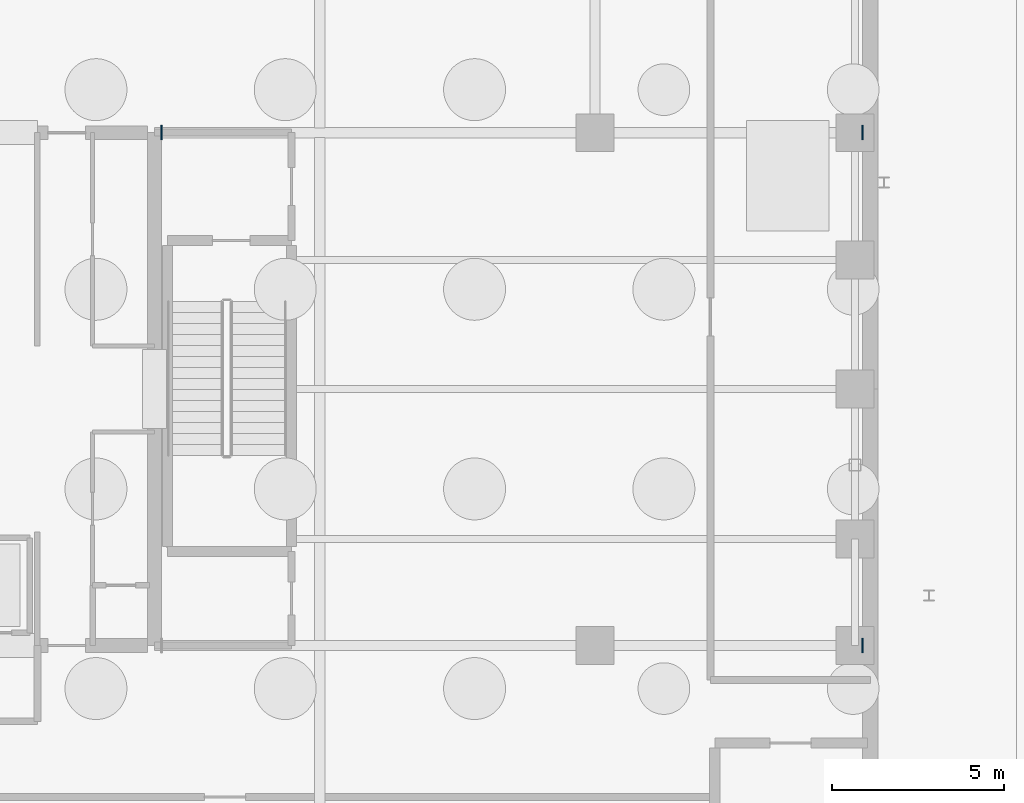
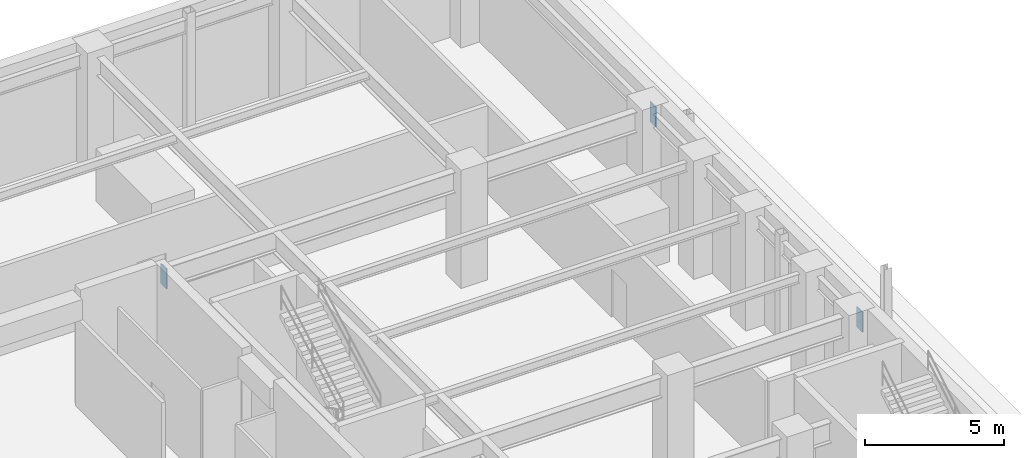
# One storey, part 10 of 18: 3 plates.
"""IFC4 building model written with IfcOpenShell, lengths in metres."""

from ifc_helpers import new_model, si_unit, direction, frame, origin, origin_2d, place, context, subcontext, project, spatial, rectangle, extrude, material, layer, layer_set, type_object, element, save


model = new_model("IFC4")

# Units and contexts
model_context = context("Model", 3, precision=1e-05, world=origin(), true_north=direction((0.0, 1.0)))
body_context = subcontext(model_context, "Body", "Model", "MODEL_VIEW")
ifc_project = project(units=[si_unit("LENGTHUNIT", "METRE"), si_unit("AREAUNIT", "SQUARE_METRE"), si_unit("VOLUMEUNIT", "CUBIC_METRE"), si_unit("PLANEANGLEUNIT", "RADIAN"), si_unit("MASSUNIT", "GRAM", prefix="KILO")], contexts=[model_context])

# Site, building, storey
site_placement = place(None, origin())
site = spatial("IfcSite", under=ifc_project, at=site_placement, CompositionType="ELEMENT")
building_placement = place(site_placement, origin())
building = spatial("IfcBuilding", under=site, at=building_placement, Name="Veldorina Hangang Commons", CompositionType="ELEMENT")
storey_placement = place(building_placement, frame((0.0, 0.0, -10.39990234375)))
storey = spatial("IfcBuildingStorey", under=building, at=storey_placement, Name="B02", CompositionType="ELEMENT", Elevation=-10.39990234375)

# Plates
ifc_material = material(Name="Steel SM490-TMC", Category="steel")
ifc_layer = layer(ifc_material, 0.044921875)
ifc_layer_set = layer_set([ifc_layer], Name="Steel SM490-TMC")
plate_type = type_object("IfcPlateType", Name="PL-NODE-45", PredefinedType="SHEET", material=ifc_layer_set)
for number, where, z_axis, x_axis, name in (
    (1, (59.77490234375, 16.550048828125, 3.989990234375), (0.0, 0.0, 1.0), (1.0, 0.0, 0.0), "B02 east collector girder GD wall embed plate"),
    (2, (39.39990234375, 31.449951171875, 3.989990234375), (0.0, 0.0, 1.0), (1.0, 0.0, 0.0), "B02 east collector girder GF core embed plate"),
    (3, (59.77490234375, 31.449951171875, 3.989990234375), (0.0, 0.0, 1.0), (1.0, 0.0, 0.0), "B02 east collector girder GF wall embed plate"),
):
    element("IfcPlate", number, at=place(storey_placement, frame(where, z_axis=z_axis, x_axis=x_axis)), inside=storey, type_object=plate_type, Name=name, PredefinedType="SHEET", context=body_context, shape_type="SweptSolid", body=[
        extrude(rectangle(XDim=0.044921875, YDim=0.419921875, at=origin_2d()), origin(), (0.0, 0.0, 1.0), 0.8798828125),
    ])

save(model, "model.ifc")
